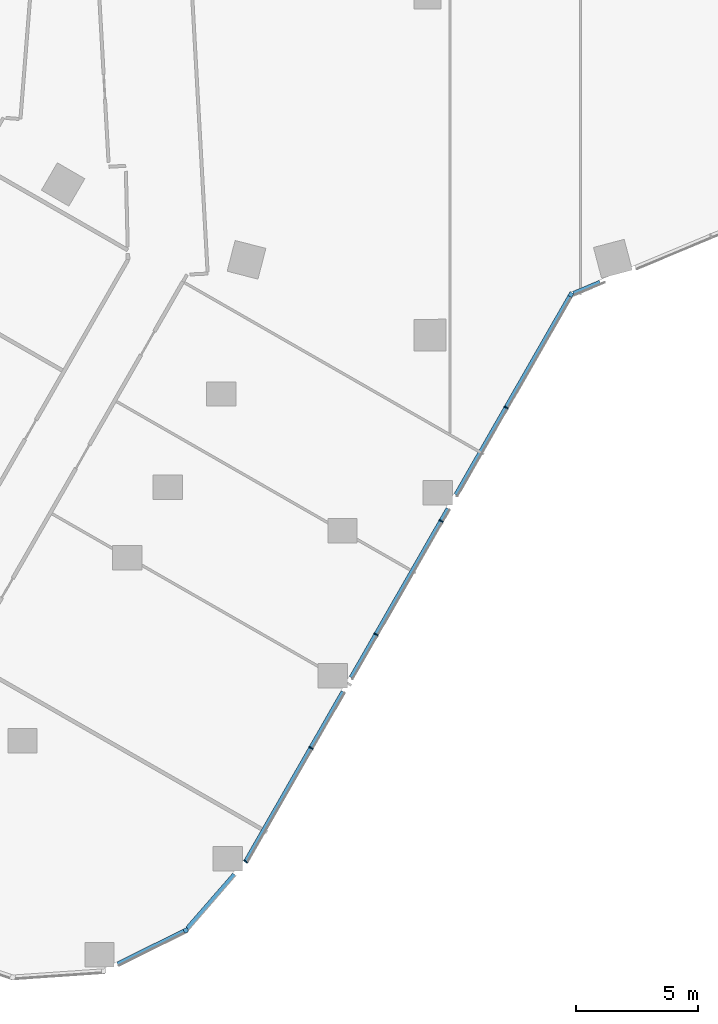
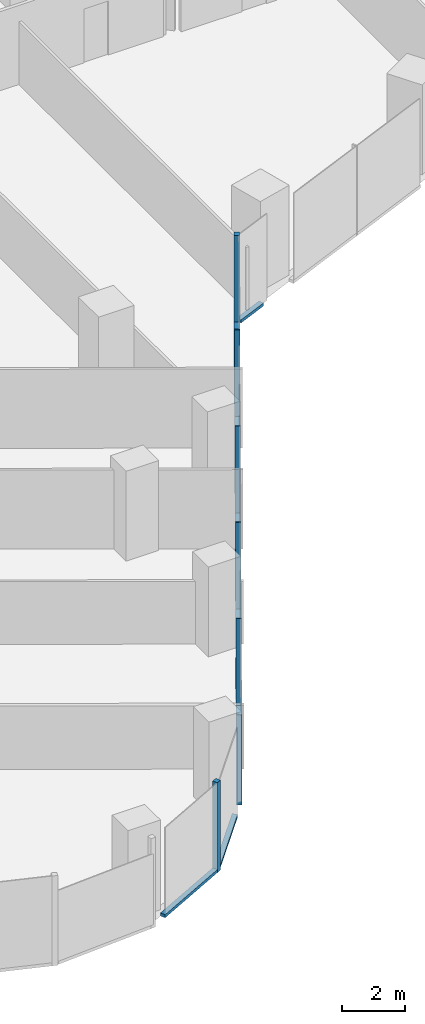
# One storey, part 5 of 35: 13 members, 4 elements without a shape of their own.
"""IFC4 building model written with IfcOpenShell, lengths in metres."""

from ifc_helpers import new_model, si_unit, direction, frame, origin, origin_2d, place, context, subcontext, project, spatial, rectangle, extrude, material, material_profile, profile_set, type_object, element, aggregate, save


model = new_model("IFC4")

# Units and contexts
model_context = context("Model", 3, precision=1e-05, world=origin(), true_north=direction((0.0, 1.0)))
body_context = subcontext(model_context, "Body", "Model", "MODEL_VIEW")
ifc_project = project(units=[si_unit("LENGTHUNIT", "METRE"), si_unit("AREAUNIT", "SQUARE_METRE"), si_unit("VOLUMEUNIT", "CUBIC_METRE"), si_unit("PLANEANGLEUNIT", "RADIAN"), si_unit("MASSUNIT", "GRAM", prefix="KILO")], contexts=[model_context])

# Site, building, storey
site_placement = place(None, origin())
site = spatial("IfcSite", under=ifc_project, at=site_placement, CompositionType="ELEMENT")
building_placement = place(site_placement, origin())
building = spatial("IfcBuilding", under=site, at=building_placement, Name="Orlundy Tower", CompositionType="ELEMENT")
storey_placement = place(building_placement, frame((0.0, 0.0, 116.199951171875)))
storey = spatial("IfcBuildingStorey", under=building, at=storey_placement, Name="L29", CompositionType="ELEMENT", Elevation=116.199951171875)

# Curtain wall, member
ifc_material_1 = material(Name="Aluminium bronze anodised", Category="aluminium")
curtain_wall_type = type_object("IfcCurtainWallType", Name="CW1 wall", PredefinedType="NOTDEFINED", material=ifc_material_1)
curtain_wall_1_placement = place(storey_placement, origin())
curtain_wall_1 = element("IfcCurtainWall", 1, at=curtain_wall_1_placement, inside=storey, type_object=curtain_wall_type, Name="CW1 run 02", PredefinedType="NOTDEFINED")
ifc_material_2 = material(Name="Aluminium bronze anodised", Category="aluminium")
ifc_material_profile_1 = material_profile(ifc_material_2, rectangle(XDim=0.179931640625, YDim=0.179931640625, at=origin_2d()), Name="CW1 corner post 180x180")
ifc_profile_set_1 = profile_set([ifc_material_profile_1], Name="Aluminium bronze anodised")
member_type_1 = type_object("IfcMemberType", Name="CW1 corner post 180x180", PredefinedType="MULLION", material=ifc_profile_set_1)
member_1_placement = place(storey_placement, frame((5.86279296875, -30.16015625, -0.39990234375), z_axis=(0.0, 0.0, 1.0), x_axis=(0.867479299789, -0.497473280125, 0.0)))
member_1 = element("IfcMember", 2, at=member_1_placement, type_object=member_type_1, Name="CW1 mullion 9", PredefinedType="MULLION", context=body_context, shape_type="SweptSolid", body=[
    extrude(rectangle(XDim=0.179931640625, YDim=0.179931640625, at=origin_2d()), origin(), (0.0, 0.0, 1.0), 3.5),
])

curtain_wall_2_placement = place(storey_placement, origin())
curtain_wall_2 = element("IfcCurtainWall", 3, at=curtain_wall_2_placement, inside=storey, type_object=curtain_wall_type, Name="CW1 run 04", PredefinedType="NOTDEFINED")
member_2_placement = place(storey_placement, frame((-9.90380859375, -56.189697265625, -0.39990234375), z_axis=(0.0, 0.0, 1.0), x_axis=(0.444838111689, -0.895610995013, 0.0)))
member_2 = element("IfcMember", 4, at=member_2_placement, type_object=member_type_1, Name="CW1 mullion 15", PredefinedType="MULLION", context=body_context, shape_type="SweptSolid", body=[
    extrude(rectangle(XDim=0.179931640625, YDim=0.179931640625, at=origin_2d()), origin(), (0.0, 0.0, 1.0), 3.5),
])

# Member
ifc_material_3 = material(Name="Aluminium bronze anodised", Category="aluminium")
ifc_material_profile_2 = material_profile(ifc_material_3, rectangle(XDim=0.179931640625, YDim=0.050048828125, at=origin_2d()), Name="CW1 mullion 50x180")
ifc_profile_set_2 = profile_set([ifc_material_profile_2], Name="Aluminium bronze anodised")
member_type_2 = type_object("IfcMemberType", Name="CW1 mullion 50x180", PredefinedType="MULLION", material=ifc_profile_set_2)
member_3_placement = place(storey_placement, frame((3.21337890625, -34.780517578125, -0.39990234375), z_axis=(0.0, 0.0, 1.0), x_axis=(0.867479299789, -0.497473280125, 0.0)))
member_3 = element("IfcMember", 5, at=member_3_placement, type_object=member_type_2, Name="CW1 mullion 10", PredefinedType="MULLION", context=body_context, shape_type="SweptSolid", body=[
    extrude(rectangle(XDim=0.179931640625, YDim=0.050048828125, at=origin_2d()), origin(), (0.0, 0.0, 1.0), 3.5),
])

member_4_placement = place(storey_placement, frame((0.548583984375, -39.427490234375, -0.39990234375), z_axis=(0.0, 0.0, 1.0), x_axis=(0.867479299789, -0.497473280125, 0.0)))
member_4 = element("IfcMember", 6, at=member_4_placement, type_object=member_type_2, Name="CW1 mullion 11", PredefinedType="MULLION", context=body_context, shape_type="SweptSolid", body=[
    extrude(rectangle(XDim=0.179931640625, YDim=0.050048828125, at=origin_2d()), origin(), (0.0, 0.0, 1.0), 3.5),
])

member_5_placement = place(storey_placement, frame((-2.1162109375, -44.07421875, -0.39990234375), z_axis=(0.0, 0.0, 1.0), x_axis=(0.867479299789, -0.497473280125, 0.0)))
member_5 = element("IfcMember", 7, at=member_5_placement, type_object=member_type_2, Name="CW1 mullion 12", PredefinedType="MULLION", context=body_context, shape_type="SweptSolid", body=[
    extrude(rectangle(XDim=0.179931640625, YDim=0.050048828125, at=origin_2d()), origin(), (0.0, 0.0, 1.0), 3.5),
])

member_6_placement = place(storey_placement, frame((-4.781005859375, -48.720947265625, -0.39990234375), z_axis=(0.0, 0.0, 1.0), x_axis=(0.867479299789, -0.497473280125, 0.0)))
member_6 = element("IfcMember", 8, at=member_6_placement, type_object=member_type_2, Name="CW1 mullion 13", PredefinedType="MULLION", context=body_context, shape_type="SweptSolid", body=[
    extrude(rectangle(XDim=0.179931640625, YDim=0.050048828125, at=origin_2d()), origin(), (0.0, 0.0, 1.0), 3.5),
])

# Curtain wall, member
curtain_wall_3_placement = place(storey_placement, origin())
curtain_wall_3 = element("IfcCurtainWall", 9, at=curtain_wall_3_placement, inside=storey, type_object=curtain_wall_type, Name="CW1 run 03", PredefinedType="NOTDEFINED")
member_7_placement = place(storey_placement, frame((-7.450439453125, -53.37548828125, -0.39990234375), z_axis=(0.0, 0.0, 1.0), x_axis=(0.814535332727, -0.580113947202, 0.0)))
member_7 = element("IfcMember", 10, at=member_7_placement, type_object=member_type_2, Name="CW1 mullion 14", PredefinedType="MULLION", context=body_context, shape_type="SweptSolid", body=[
    extrude(rectangle(XDim=0.179931640625, YDim=0.050048828125, at=origin_2d()), origin(), (0.0, 0.0, 1.0), 3.5),
])

curtain_wall_4_placement = place(storey_placement, origin())
curtain_wall_4 = element("IfcCurtainWall", 11, at=curtain_wall_4_placement, inside=storey, type_object=curtain_wall_type, Name="CW1 run 01", PredefinedType="NOTDEFINED")
ifc_material_4 = material(Name="Aluminium bronze anodised", Category="aluminium")
ifc_material_profile_3 = material_profile(ifc_material_4, rectangle(XDim=0.179931640625, YDim=0.1201171875, at=origin_2d()), Name="CW1 transom 180x120")
ifc_profile_set_3 = profile_set([ifc_material_profile_3], Name="Aluminium bronze anodised")
member_type_3 = type_object("IfcMemberType", Name="CW1 transom 180x120", PredefinedType="USERDEFINED", material=ifc_profile_set_3)
member_8_placement = place(storey_placement, frame((7.062255859375, -29.659423828125, -0.33984375), z_axis=(-0.922808793356, -0.385258265201, 0.0), x_axis=(0.385258265201, -0.922808793356, 0.0)))
member_8 = element("IfcMember", 12, at=member_8_placement, type_object=member_type_3, Name="CW1 transom", ObjectType="TRANSOM", PredefinedType="USERDEFINED", context=body_context, shape_type="SweptSolid", body=[
    extrude(rectangle(XDim=0.179931640625, YDim=0.1201171875, at=origin_2d()), origin(), (0.0, 0.0, 1.0), 1.186279296875),
])
aggregate(curtain_wall_4, [member_8])

# Member
member_9_placement = place(storey_placement, frame((5.818115234375, -30.23828125, -0.33984375), z_axis=(-0.497467087282, -0.867482851169, 0.0), x_axis=(0.867482851169, -0.497467087282, 0.0)))
member_9 = element("IfcMember", 13, at=member_9_placement, type_object=member_type_3, Name="CW1 transom", ObjectType="TRANSOM", PredefinedType="USERDEFINED", context=body_context, shape_type="SweptSolid", body=[
    extrude(rectangle(XDim=0.179931640625, YDim=0.1201171875, at=origin_2d()), origin(), (0.0, 0.0, 1.0), 9.359375),
])

member_10_placement = place(storey_placement, frame((0.8349609375, -38.927978515625, -0.33984375), z_axis=(-0.497493149582, -0.86746790495, 0.0), x_axis=(0.86746790495, -0.497493149582, 0.0)))
member_10 = element("IfcMember", 14, at=member_10_placement, type_object=member_type_3, Name="CW1 transom", ObjectType="TRANSOM", PredefinedType="USERDEFINED", context=body_context, shape_type="SweptSolid", body=[
    extrude(rectangle(XDim=0.179931640625, YDim=0.1201171875, at=origin_2d()), origin(), (0.0, 0.0, 1.0), 7.97607421875),
])

member_11_placement = place(storey_placement, frame((-3.4599609375, -46.4169921875, -0.33984375), z_axis=(-0.497452550995, -0.867491186992, 0.0), x_axis=(0.867491186992, -0.497452550995, 0.0)))
member_11 = element("IfcMember", 15, at=member_11_placement, type_object=member_type_3, Name="CW1 transom", ObjectType="TRANSOM", PredefinedType="USERDEFINED", context=body_context, shape_type="SweptSolid", body=[
    extrude(rectangle(XDim=0.179931640625, YDim=0.1201171875, at=origin_2d()), origin(), (0.0, 0.0, 1.0), 7.982666015625),
])

aggregate(curtain_wall_1, [member_1, member_3, member_4, member_5, member_6, member_9, member_10, member_11])

member_12_placement = place(storey_placement, frame((-7.9111328125, -53.904052734375, -0.33984375), z_axis=(-0.657166709107, -0.753745259648, 0.0), x_axis=(0.753745259648, -0.657166709107, 0.0)))
member_12 = element("IfcMember", 16, at=member_12_placement, type_object=member_type_3, Name="CW1 transom", ObjectType="TRANSOM", PredefinedType="USERDEFINED", context=body_context, shape_type="SweptSolid", body=[
    extrude(rectangle(XDim=0.179931640625, YDim=0.1201171875, at=origin_2d()), origin(), (0.0, 0.0, 1.0), 2.934814453125),
])

aggregate(curtain_wall_3, [member_7, member_12])

member_13_placement = place(storey_placement, frame((-9.984619140625, -56.229736328125, -0.33984375), z_axis=(-0.895605373213, -0.444849430113, 0.0), x_axis=(0.444849430113, -0.895605373213, 0.0)))
member_13 = element("IfcMember", 17, at=member_13_placement, type_object=member_type_3, Name="CW1 transom", ObjectType="TRANSOM", PredefinedType="USERDEFINED", context=body_context, shape_type="SweptSolid", body=[
    extrude(rectangle(XDim=0.179931640625, YDim=0.1201171875, at=origin_2d()), origin(), (0.0, 0.0, 1.0), 3.017333984375),
])

aggregate(curtain_wall_2, [member_2, member_13])

save(model, "model.ifc")
